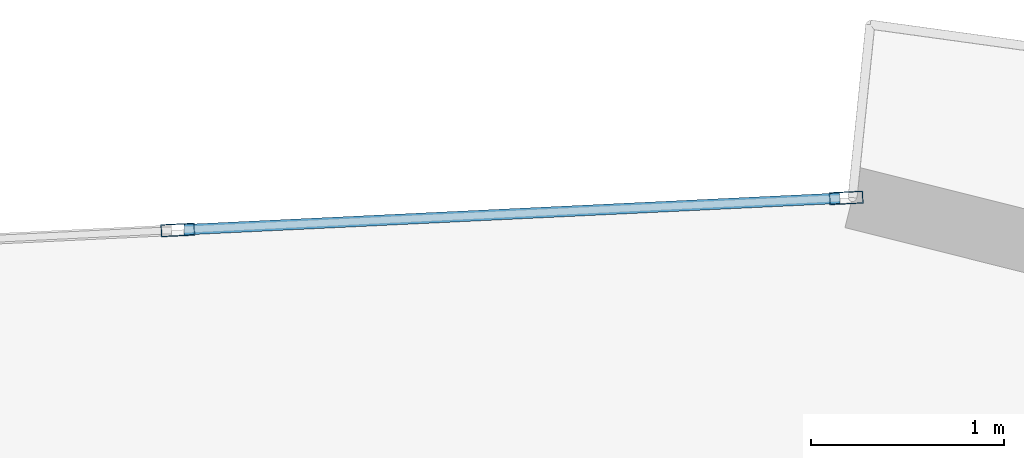
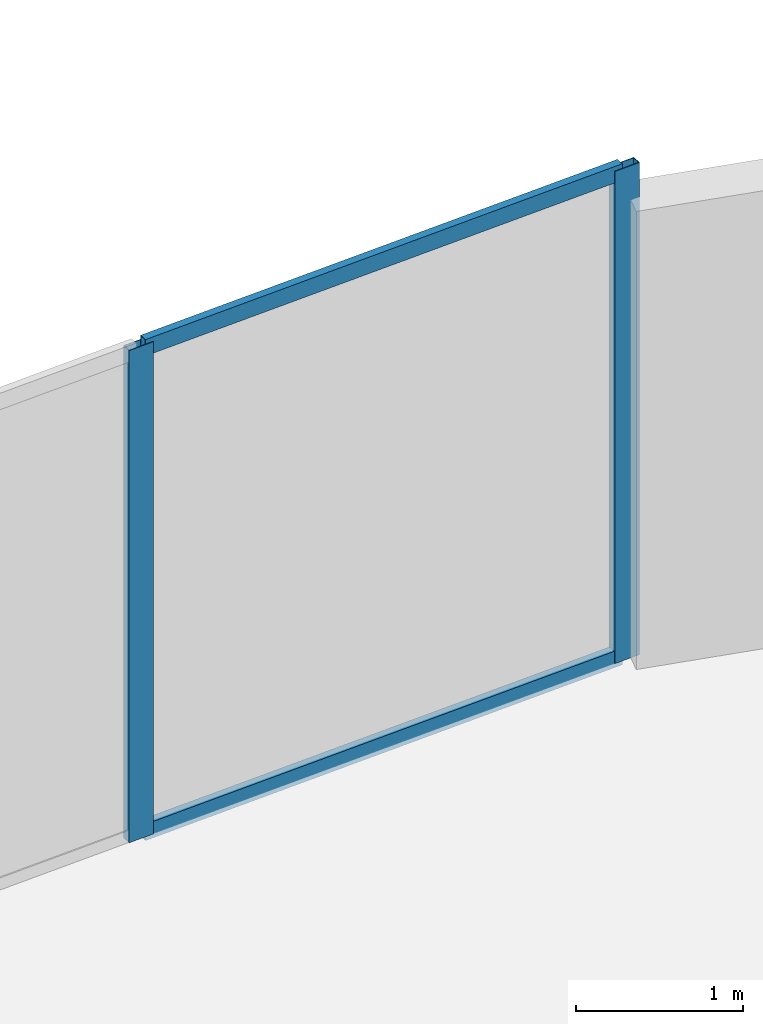
# One storey, part 18 of 25: 4 members, 1 element without a shape of its own.
"""IFC4 building model written with IfcOpenShell, lengths in metres."""

from ifc_helpers import new_model, si_unit, direction, frame, origin, origin_2d, place, context, subcontext, project, spatial, hollow_rectangle, extrude, source, transform, mapped, material, layer, layer_set, material_profile, profile_set, type_object, element, aggregate, save


model = new_model("IFC4")

# Units and contexts
model_context = context("Model", 3, precision=1e-05, world=origin(), true_north=direction((0.0, 1.0)))
body_context = subcontext(model_context, "Body", "Model", "MODEL_VIEW")
ifc_project = project(units=[si_unit("LENGTHUNIT", "METRE"), si_unit("AREAUNIT", "SQUARE_METRE"), si_unit("VOLUMEUNIT", "CUBIC_METRE"), si_unit("PLANEANGLEUNIT", "RADIAN"), si_unit("MASSUNIT", "GRAM", prefix="KILO")], contexts=[model_context])

# Site, building, storey
site_placement = place(None, origin())
site = spatial("IfcSite", under=ifc_project, at=site_placement, CompositionType="ELEMENT")
building_placement = place(site_placement, origin())
building = spatial("IfcBuilding", under=site, at=building_placement, Name="Solvirekh Grand Hotel", CompositionType="ELEMENT")
storey_placement = place(building_placement, frame((0.0, 0.0, 124.199951171875)))
storey = spatial("IfcBuildingStorey", under=building, at=storey_placement, Name="L31", CompositionType="ELEMENT", Elevation=124.199951171875)

# Curtain wall, members
ifc_material = material(Name="Anodized Bronze Aluminium 6063-T6", Category="aluminium")
ifc_layer = layer(ifc_material, 0.175048828125)
ifc_layer_set = layer_set([ifc_layer], Name="Anodized Bronze Aluminium 6063-T6")
curtain_wall_type = type_object("IfcCurtainWallType", Name="CW_Sys3_MidZoneFlushBronzeCW", PredefinedType="NOTDEFINED", material=ifc_layer_set)
curtain_wall_placement = place(storey_placement, origin())
curtain_wall = element("IfcCurtainWall", 1, at=curtain_wall_placement, inside=storey, type_object=curtain_wall_type, Name="L31 unitised bronze-glass curtain wall CW-L31-C08", PredefinedType="NOTDEFINED")
ifc_material_profile_1 = material_profile(ifc_material, hollow_rectangle(XDim=0.054931640625, YDim=0.1201171875, WallThickness=0.00390625, at=origin_2d()), Name="ALU RHS 120X55X4")
ifc_profile_set_1 = profile_set([ifc_material_profile_1], Name="Anodized Bronze Aluminium 6063-T6")
member_type_1 = type_object("IfcMemberType", Name="CWTransom_Sys3", PredefinedType="USERDEFINED", material=ifc_profile_set_1)
shared_shape_1 = source(origin(), body_context, "Body", "SweptSolid", [
    extrude(hollow_rectangle(XDim=0.054931640625, YDim=0.1201171875, WallThickness=0.00390625, at=origin_2d()), origin(), (0.0, 0.0, 1.0), 3.397216796875),
])
member_1_placement = place(storey_placement, frame((-2.69384765625, 21.661865234375, 0.027587890625), z_axis=(-0.998850509903, -0.047933901008, 0.0), x_axis=(0.047933901008, -0.998850509903, 0.0)))
member_1 = element("IfcMember", 2, at=member_1_placement, type_object=member_type_1, Name="U03 transom 1.1", ObjectType="TRANSOM", PredefinedType="USERDEFINED", context=body_context, shape_type="MappedRepresentation", body=[
    mapped(shared_shape_1, transform((0.0, 0.0, 0.0), x_axis=(1.0, 0.0, 0.0), y_axis=(0.0, 1.0, 0.0), z_axis=(0.0, 0.0, 1.0), scale=1.0)),
])
member_2_placement = place(storey_placement, frame((-2.69384765625, 21.661865234375, 3.572509765625), z_axis=(-0.998850509903, -0.047933901008, 0.0), x_axis=(0.047933901008, -0.998850509903, 0.0)))
member_2 = element("IfcMember", 3, at=member_2_placement, type_object=member_type_1, Name="U03 transom 1.2", ObjectType="TRANSOM", PredefinedType="USERDEFINED", context=body_context, shape_type="MappedRepresentation", body=[
    mapped(shared_shape_1, transform((0.0, 0.0, 0.0), x_axis=(1.0, 0.0, 0.0), y_axis=(0.0, 1.0, 0.0), z_axis=(0.0, 0.0, 1.0), scale=1.0)),
])
ifc_material_profile_2 = material_profile(ifc_material, hollow_rectangle(XDim=0.06494140625, YDim=0.175048828125, WallThickness=0.0048828125, at=origin_2d()), Name="ALU RHS 175X65X5")
ifc_profile_set_2 = profile_set([ifc_material_profile_2], Name="Anodized Bronze Aluminium 6063-T6")
member_type_2 = type_object("IfcMemberType", Name="CWMullion_Sys3", PredefinedType="MULLION", material=ifc_profile_set_2)
shared_shape_2 = source(origin(), body_context, "Body", "SweptSolid", [
    extrude(hollow_rectangle(XDim=0.06494140625, YDim=0.175048828125, WallThickness=0.0048828125, at=origin_2d()), origin(), (0.0, 0.0, 1.0), 3.60009765625),
])
member_3_placement = place(storey_placement, frame((-2.661376953125, 21.663330078125, 0.0), z_axis=(0.0, 0.0, 1.0), x_axis=(0.047932237159, -0.998850589749, 0.0)))
member_3 = element("IfcMember", 4, at=member_3_placement, type_object=member_type_2, Name="U03 mullion 1", PredefinedType="MULLION", context=body_context, shape_type="MappedRepresentation", body=[
    mapped(shared_shape_2, transform((0.0, 0.0, 0.0), x_axis=(1.0, 0.0, 0.0), y_axis=(0.0, 1.0, 0.0), z_axis=(0.0, 0.0, 1.0), scale=1.0)),
])
member_4_placement = place(storey_placement, frame((-6.119384765625, 21.49755859375, 0.0), z_axis=(0.0, 0.0, 1.0), x_axis=(0.047932237159, -0.998850589749, 0.0)))
member_4 = element("IfcMember", 5, at=member_4_placement, type_object=member_type_2, Name="U03 mullion 2", PredefinedType="MULLION", context=body_context, shape_type="MappedRepresentation", body=[
    mapped(shared_shape_2, transform((0.0, 0.0, 0.0), x_axis=(1.0, 0.0, 0.0), y_axis=(0.0, 1.0, 0.0), z_axis=(0.0, 0.0, 1.0), scale=1.0)),
])
aggregate(curtain_wall, [member_3, member_4, member_1, member_2])

save(model, "model.ifc")
